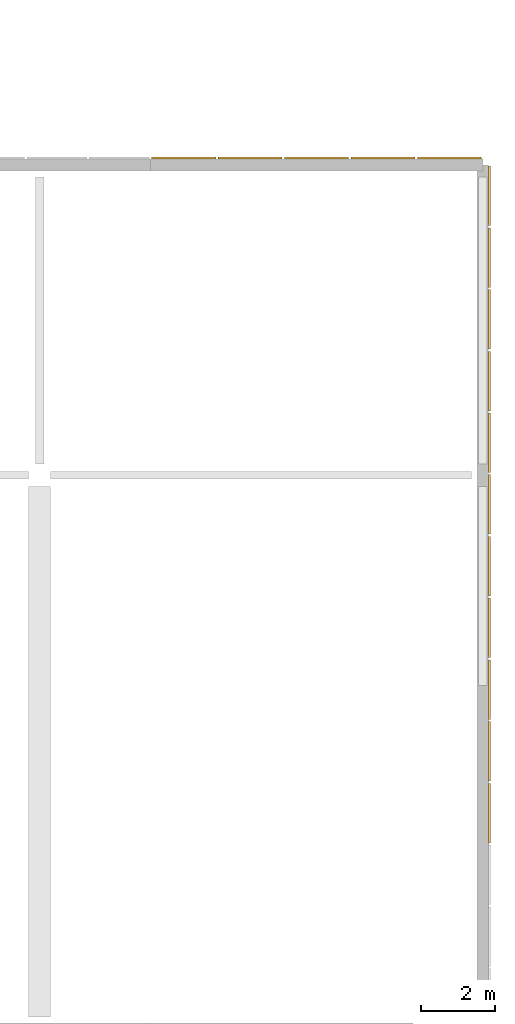
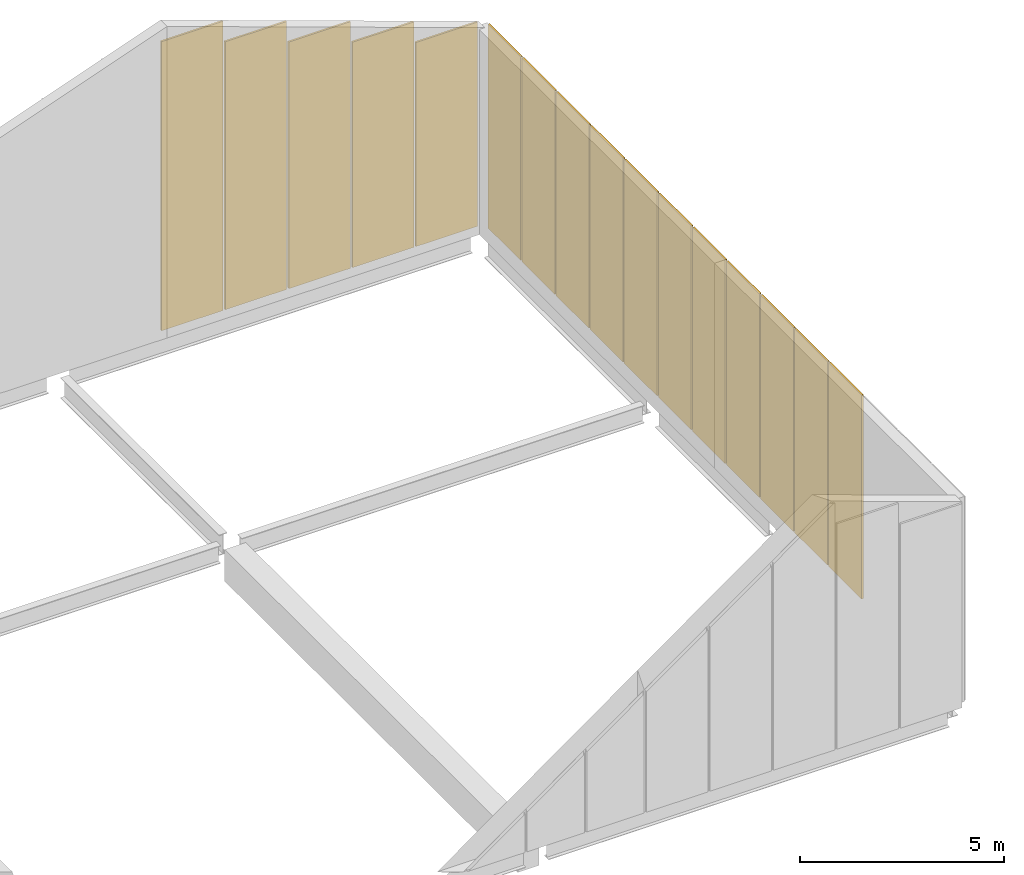
# One storey, part 19 of 19: 16 coverings.
"""IFC4 building model written with IfcOpenShell, lengths in metres."""

from ifc_helpers import new_model, si_unit, direction, frame, origin, origin_2d, place, context, subcontext, project, spatial, rectangle, extrude, material, layer, layer_set, type_object, element, save


model = new_model("IFC4")

# Units and contexts
model_context = context("Model", 3, precision=1e-05, world=origin(), true_north=direction((0.0, 1.0)))
body_context = subcontext(model_context, "Body", "Model", "MODEL_VIEW")
ifc_project = project(units=[si_unit("LENGTHUNIT", "METRE"), si_unit("AREAUNIT", "SQUARE_METRE"), si_unit("VOLUMEUNIT", "CUBIC_METRE"), si_unit("PLANEANGLEUNIT", "RADIAN"), si_unit("MASSUNIT", "GRAM", prefix="KILO")], contexts=[model_context])

# Site, building, storey
site_placement = place(None, origin())
site = spatial("IfcSite", under=ifc_project, at=site_placement, CompositionType="ELEMENT")
building_placement = place(site_placement, origin())
building = spatial("IfcBuilding", under=site, at=building_placement, Name="Kelmvaro Bay Concert Hall", CompositionType="ELEMENT")
storey_placement = place(building_placement, frame((0.0, 0.0, 18.300048828125)))
storey = spatial("IfcBuildingStorey", under=building, at=storey_placement, Name="L04", CompositionType="ELEMENT", Elevation=18.300048828125)

# Coverings
ifc_material = material(Name="Honed Florida Limestone Travertine", Category="masonry")
ifc_layer = layer(ifc_material, 0.054931640625)
ifc_layer_set = layer_set([ifc_layer], Name="Honed Florida Limestone Travertine")
covering_type = type_object("IfcCoveringType", Name="Honed Florida Travertine Rainscreen Cladding 55", PredefinedType="CLADDING", material=ifc_layer_set)
for number, where, z_axis, x_axis, name in (
    (1, (168.185546875, 84.664306640625, 0.010009765625), (0.0, 0.0, 1.0), (0.0, -1.0, 0.0), "L04 Raked Travertine Gable Panel 0463"),
    (2, (168.185546875, 82.992919921875, 0.010009765625), (0.0, 0.0, 1.0), (0.0, -1.0, 0.0), "L04 Raked Travertine Gable Panel 0464"),
    (3, (168.185546875, 81.3212890625, 0.010009765625), (0.0, 0.0, 1.0), (0.0, -1.0, 0.0), "L04 Raked Travertine Gable Panel 0465"),
    (4, (168.185546875, 79.64990234375, 0.010009765625), (0.0, 0.0, 1.0), (0.0, -1.0, 0.0), "L04 Raked Travertine Gable Panel 0466"),
    (5, (168.185546875, 96.3642578125, 0.010009765625), (0.0, 0.0, 1.0), (0.0, -1.0, 0.0), "L04 Raked Travertine Gable Panel 0470"),
    (6, (168.185546875, 94.69287109375, 0.010009765625), (0.0, 0.0, 1.0), (0.0, -1.0, 0.0), "L04 Raked Travertine Gable Panel 0471"),
    (7, (168.185546875, 93.021484375, 0.010009765625), (0.0, 0.0, 1.0), (0.0, -1.0, 0.0), "L04 Raked Travertine Gable Panel 0472"),
    (8, (168.185546875, 91.35009765625, 0.010009765625), (0.0, 0.0, 1.0), (0.0, -1.0, 0.0), "L04 Raked Travertine Gable Panel 0473"),
    (9, (168.185546875, 89.6787109375, 0.010009765625), (0.0, 0.0, 1.0), (0.0, -1.0, 0.0), "L04 Raked Travertine Gable Panel 0474"),
    (10, (168.185546875, 88.007080078125, 0.010009765625), (0.0, 0.0, 1.0), (0.0, -1.0, 0.0), "L04 Raked Travertine Gable Panel 0475"),
    (11, (168.185546875, 86.335693359375, 0.010009765625), (0.0, 0.0, 1.0), (0.0, -1.0, 0.0), "L04 Raked Travertine Gable Panel 0476"),
):
    element("IfcCovering", number, at=place(storey_placement, frame(where, z_axis=z_axis, x_axis=x_axis)), inside=storey, type_object=covering_type, Name=name, PredefinedType="CLADDING", context=body_context, shape_type="SweptSolid", body=[
        extrude(rectangle(XDim=1.611083984375, YDim=0.054931640625, at=origin_2d()), origin(), (0.0, 0.0, 1.0), 6.10009765625),
    ])
covering_1_placement = place(storey_placement, frame((159.89990234375, 97.385498046875, 0.01025390625), z_axis=(0.0, 0.0, 1.0), x_axis=(1.0, 0.0, 0.0)))
element("IfcCovering", 12, at=covering_1_placement, inside=storey, type_object=covering_type, Name="L04 Raked Travertine Gable Panel 0512", PredefinedType="CLADDING", context=body_context, shape_type="SweptSolid", body=[
    extrude(rectangle(XDim=1.739990234375, YDim=0.054931640625, at=origin_2d()), origin(), (0.0, 0.0, 1.0), 8.658935546875),
])
covering_2_placement = place(storey_placement, frame((161.699951171875, 97.385498046875, 0.010009765625), z_axis=(0.0, 0.0, 1.0), x_axis=(1.0, 0.0, 0.0)))
element("IfcCovering", 13, at=covering_2_placement, inside=storey, type_object=covering_type, Name="L04 Raked Travertine Gable Panel 0513", PredefinedType="CLADDING", context=body_context, shape_type="SweptSolid", body=[
    extrude(rectangle(XDim=1.739990234375, YDim=0.054931640625, at=origin_2d()), origin(), (0.0, 0.0, 1.0), 8.02197265625),
])
covering_3_placement = place(storey_placement, frame((163.5, 97.385498046875, 0.009765625), z_axis=(0.0, 0.0, 1.0), x_axis=(1.0, 0.0, 0.0)))
element("IfcCovering", 14, at=covering_3_placement, inside=storey, type_object=covering_type, Name="L04 Raked Travertine Gable Panel 0514", PredefinedType="CLADDING", context=body_context, shape_type="SweptSolid", body=[
    extrude(rectangle(XDim=1.739990234375, YDim=0.054931640625, at=origin_2d()), origin(), (0.0, 0.0, 1.0), 7.385009765625),
])
covering_4_placement = place(storey_placement, frame((165.300048828125, 97.385498046875, 0.009765625), z_axis=(0.0, 0.0, 1.0), x_axis=(1.0, 0.0, 0.0)))
element("IfcCovering", 15, at=covering_4_placement, inside=storey, type_object=covering_type, Name="L04 Raked Travertine Gable Panel 0515", PredefinedType="CLADDING", context=body_context, shape_type="SweptSolid", body=[
    extrude(rectangle(XDim=1.739990234375, YDim=0.054931640625, at=origin_2d()), origin(), (0.0, 0.0, 1.0), 6.748046875),
])
covering_5_placement = place(storey_placement, frame((167.10009765625, 97.385498046875, 0.009765625), z_axis=(0.0, 0.0, 1.0), x_axis=(1.0, 0.0, 0.0)))
element("IfcCovering", 16, at=covering_5_placement, inside=storey, type_object=covering_type, Name="L04 Raked Travertine Gable Panel 0516", PredefinedType="CLADDING", context=body_context, shape_type="SweptSolid", body=[
    extrude(rectangle(XDim=1.739990234375, YDim=0.054931640625, at=origin_2d()), origin(), (0.0, 0.0, 1.0), 6.111083984375),
])

save(model, "model.ifc")
